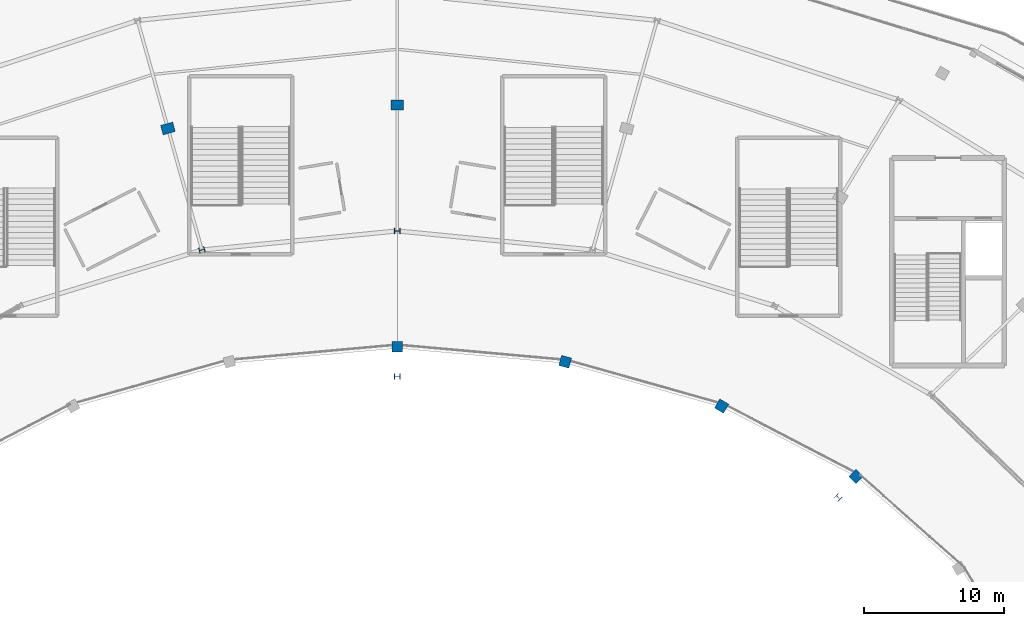
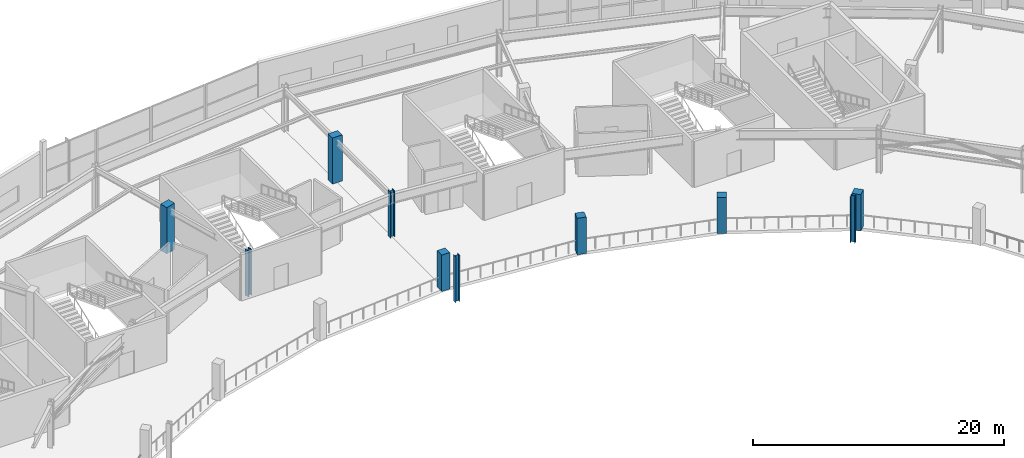
# One storey, part 9 of 123: 10 columns.
"""IFC4 building model written with IfcOpenShell, lengths in metres."""

from ifc_helpers import new_model, si_unit, direction, frame, origin, origin_2d, place, context, subcontext, project, spatial, rectangle, i_section, extrude, material, material_profile, profile_set, type_object, element, save


model = new_model("IFC4")

# Units and contexts
model_context = context("Model", 3, precision=1e-05, world=origin(), true_north=direction((0.0, 1.0)))
body_context = subcontext(model_context, "Body", "Model", "MODEL_VIEW")
ifc_project = project(units=[si_unit("LENGTHUNIT", "METRE"), si_unit("AREAUNIT", "SQUARE_METRE"), si_unit("VOLUMEUNIT", "CUBIC_METRE"), si_unit("PLANEANGLEUNIT", "RADIAN"), si_unit("MASSUNIT", "GRAM", prefix="KILO")], contexts=[model_context])

# Site, building, storey
site_placement = place(None, origin())
site = spatial("IfcSite", under=ifc_project, at=site_placement, CompositionType="ELEMENT")
building_placement = place(site_placement, origin())
building = spatial("IfcBuilding", under=site, at=building_placement, Name="Kalgoora Escarpment Arena", CompositionType="ELEMENT")
storey_placement = place(building_placement, frame((0.0, 0.0, 9.89990234375)))
storey = spatial("IfcBuildingStorey", under=building, at=storey_placement, Name="L02", CompositionType="ELEMENT", Elevation=9.89990234375)

# Columns
ifc_material_1 = material(Name="Structural steel Grade 350 (350 MPa)", Category="steel")
ifc_material_profile_1 = material_profile(ifc_material_1, i_section(OverallWidth=0.39990234375, OverallDepth=0.39990234375, WebThickness=0.01806640625, FlangeThickness=0.031982421875, at=origin_2d()))
ifc_profile_set_1 = profile_set([ifc_material_profile_1], Name="Structural steel Grade 350 (350 MPa)")
column_type_1 = type_object("IfcColumnType", Name="COL-COL-400WC270", PredefinedType="COLUMN", material=ifc_profile_set_1)
for number, where, z_axis, x_axis, name in (
    (1, (92.39990234375, 104.0, 0.0), (0.0, 0.0, 1.0), (0.0, 1.0, 0.0), "L02 structural column COL-RMAIN-R07"),
    (2, (78.423828125, 102.636962890625, 0.0), (0.0, 0.0, 1.0), (-0.258819045103, 0.965925826289, 0.0), "L02 structural column COL-RMAIN-R08"),
    (3, (123.93701171875, 84.930419921875, 0.0), (0.0, 0.0, 1.0), (0.707106781187, 0.707106781187, 0.0), "L02 structural column COL-TSPINE-S02"),
    (4, (92.39990234375, 93.60009765625, 0.0), (0.0, 0.0, 1.0), (0.0, 1.0, 0.0), "L02 structural column COL-TSPINE-S03"),
):
    element("IfcColumn", number, at=place(storey_placement, frame(where, z_axis=z_axis, x_axis=x_axis)), inside=storey, type_object=column_type_1, Name=name, PredefinedType="COLUMN", context=body_context, shape_type="SweptSolid", body=[
        extrude(i_section(OverallWidth=0.39990234375, OverallDepth=0.39990234375, WebThickness=0.01806640625, FlangeThickness=0.031982421875, at=origin_2d()), origin(), (0.0, 0.0, 1.0), 4.5),
    ])
ifc_material_2 = material(Name="Concrete N50 (fc' 50 MPa)", Category="concrete")
ifc_material_profile_2 = material_profile(ifc_material_2, rectangle(XDim=0.75, YDim=0.75, at=origin_2d()))
ifc_profile_set_2 = profile_set([ifc_material_profile_2], Name="Concrete N50 (fc' 50 MPa)")
column_type_2 = type_object("IfcColumnType", Name="COL-COL-RC750x750", PredefinedType="COLUMN", material=ifc_profile_set_2)
column_1_placement = place(storey_placement, frame((125.216796875, 86.429443359375, 0.0), z_axis=(0.0, 0.0, 1.0), x_axis=(0.707106781187, 0.707106781187, 0.0)))
element("IfcColumn", 5, at=column_1_placement, inside=storey, type_object=column_type_2, Name="L02 structural column COL-RMID-R04", PredefinedType="COLUMN", context=body_context, shape_type="SweptSolid", body=[
    extrude(rectangle(XDim=0.75, YDim=0.75, at=origin_2d()), origin(), (0.0, 0.0, 1.0), 3.549072265625),
])
column_2_placement = place(storey_placement, frame((115.60498046875, 91.47021484375, 0.0), z_axis=(0.0, 0.0, 1.0), x_axis=(0.5, 0.866025403784, 0.0)))
element("IfcColumn", 6, at=column_2_placement, inside=storey, type_object=column_type_2, Name="L02 structural column COL-RMID-R05", PredefinedType="COLUMN", context=body_context, shape_type="SweptSolid", body=[
    extrude(rectangle(XDim=0.75, YDim=0.75, at=origin_2d()), origin(), (0.0, 0.0, 1.0), 3.5517578125),
])
column_3_placement = place(storey_placement, frame((104.411865234375, 94.63916015625, 0.0), z_axis=(0.0, 0.0, 1.0), x_axis=(0.258819045103, 0.965925826289, 0.0)))
element("IfcColumn", 7, at=column_3_placement, inside=storey, type_object=column_type_2, Name="L02 structural column COL-RMID-R06", PredefinedType="COLUMN", context=body_context, shape_type="SweptSolid", body=[
    extrude(rectangle(XDim=0.75, YDim=0.75, at=origin_2d()), origin(), (0.0, 0.0, 1.0), 3.553466796875),
])
column_4_placement = place(storey_placement, frame((92.39990234375, 95.719970703125, 0.0), z_axis=(0.0, 0.0, 1.0), x_axis=(0.0, 1.0, 0.0)))
element("IfcColumn", 8, at=column_4_placement, inside=storey, type_object=column_type_2, Name="L02 structural column COL-RMID-R07", PredefinedType="COLUMN", context=body_context, shape_type="SweptSolid", body=[
    extrude(rectangle(XDim=0.75, YDim=0.75, at=origin_2d()), origin(), (0.0, 0.0, 1.0), 3.55419921875),
])
ifc_material_3 = material(Name="Concrete N50 (fc' 50 MPa)", Category="concrete")
ifc_material_profile_3 = material_profile(ifc_material_3, rectangle(XDim=0.699951171875, YDim=0.89990234375, at=origin_2d()))
ifc_profile_set_3 = profile_set([ifc_material_profile_3], Name="Concrete N50 (fc' 50 MPa)")
column_type_3 = type_object("IfcColumnType", Name="COL-COL-RC900x700", PredefinedType="COLUMN", material=ifc_profile_set_3)
for number, where, z_axis, x_axis, name in (
    (9, (92.39990234375, 113.0, 0.0), (0.0, 0.0, 1.0), (0.0, 1.0, 0.0), "L02 structural column COL-RCONC1-R07"),
    (10, (75.990966796875, 111.330322265625, 0.0), (0.0, 0.0, 1.0), (-0.258819045103, 0.965925826289, 0.0), "L02 structural column COL-RCONC1-R08"),
):
    element("IfcColumn", number, at=place(storey_placement, frame(where, z_axis=z_axis, x_axis=x_axis)), inside=storey, type_object=column_type_3, Name=name, PredefinedType="COLUMN", context=body_context, shape_type="SweptSolid", body=[
        extrude(rectangle(XDim=0.699951171875, YDim=0.89990234375, at=origin_2d()), origin(), (0.0, 0.0, 1.0), 4.5),
    ])

save(model, "model.ifc")
